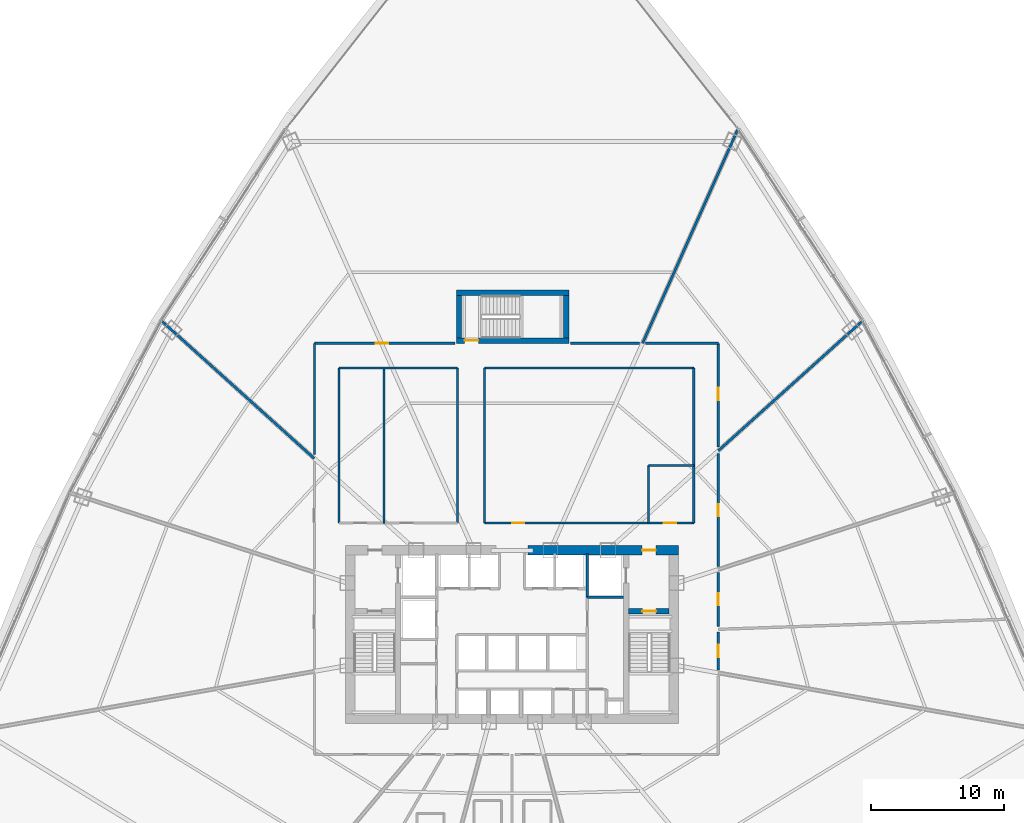
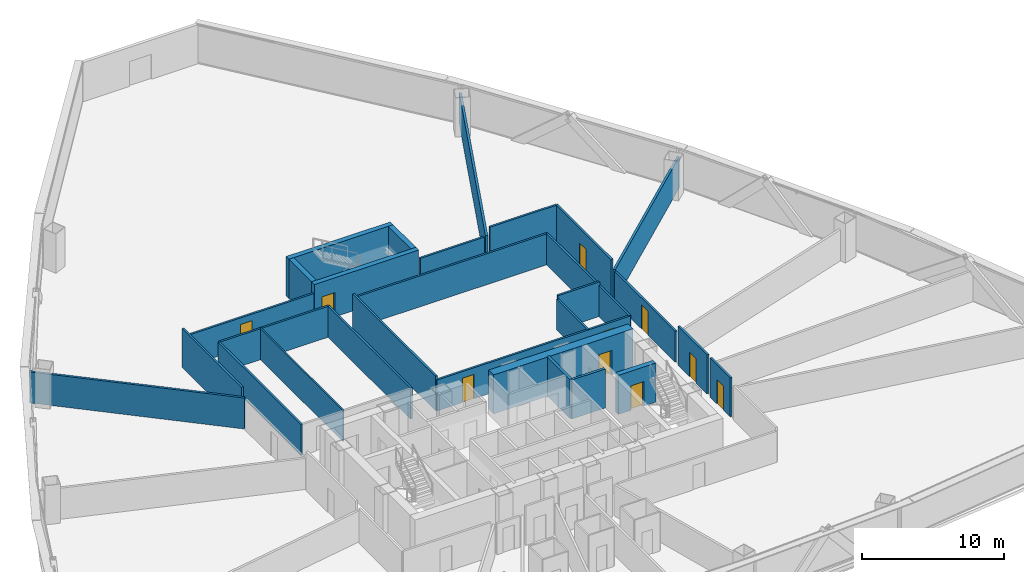
# One storey, part 34 of 40: 29 walls, 10 doors, 10 openings.
"""IFC4 building model written with IfcOpenShell, lengths in metres."""

from ifc_helpers import new_model, si_unit, direction, frame, frame_2d, origin, origin_with_axes, place, context, subcontext, project, spatial, rectangle, extrude, source, transform, mapped, material, layer, layer_set, type_object, element, fill, save


model = new_model("IFC4")

# Units and contexts
model_context = context("Model", 3, precision=1e-05, world=origin(), true_north=direction((0.0, 1.0)))
body_context = subcontext(model_context, "Body", "Model", "MODEL_VIEW")
ifc_project = project(units=[si_unit("LENGTHUNIT", "METRE"), si_unit("AREAUNIT", "SQUARE_METRE"), si_unit("VOLUMEUNIT", "CUBIC_METRE"), si_unit("PLANEANGLEUNIT", "RADIAN"), si_unit("MASSUNIT", "GRAM", prefix="KILO"), si_unit("THERMODYNAMICTEMPERATUREUNIT", "KELVIN"), si_unit("POWERUNIT", "WATT")], contexts=[model_context])

# Site, building, storey
site_placement = place(None, origin())
site = spatial("IfcSite", under=ifc_project, at=site_placement, CompositionType="ELEMENT")
building_placement = place(site_placement, origin())
building = spatial("IfcBuilding", under=site, at=building_placement, Name="Yunzhuo Pagoda Commons", CompositionType="ELEMENT")
storey_placement = place(building_placement, frame((0.0, 0.0, 66.699951171875)))
storey = spatial("IfcBuildingStorey", under=building, at=storey_placement, Name="L17", CompositionType="ELEMENT", Elevation=66.699951171875)

# Wall, opening, door
ifc_material_1 = material(Name="Concrete C60", Category="concrete")
ifc_layer_1 = layer(ifc_material_1, 0.699951171875)
ifc_layer_set_1 = layer_set([ifc_layer_1], Name="Concrete C60")
wall_type_1 = type_object("IfcWallType", Name="W-C01 Lower Core Shear Wall 700", PredefinedType="SHEAR", material=ifc_layer_set_1)
wall_1_placement = place(storey_placement, frame((49.199951171875, 40.199951171875, 0.0), z_axis=(0.0, 0.0, 1.0), x_axis=(1.0, 0.0, 0.0)))
wall_1 = element("IfcWall", 1, at=wall_1_placement, inside=storey, type_object=wall_type_1, Name="L17 core shear wall NE", PredefinedType="SHEAR", context=body_context, shape_type="SweptSolid", body=[
    extrude(rectangle(XDim=11.35009765625, YDim=0.699951171875, at=frame_2d((5.675048828125, 0.0))), origin(), (0.0, 0.0, 1.0), 3.3701171875),
])
opening_1_placement = place(wall_1_placement, frame((8.60009765625, 0.0, 0.0)))
opening_1 = element("IfcOpeningElement", 2, at=opening_1_placement, cuts=wall_1, Name="Opening D-02", PredefinedType="OPENING", context=body_context, shape_type="SweptSolid", body=[
    extrude(rectangle(XDim=1.050048828125, YDim=2.10009765625, at=frame_2d((0.52490234375, 1.050048828125))), frame((0.0, 0.35986328125, 0.0), z_axis=(0.0, -1.0, 0.0), x_axis=(1.0, 0.0, 0.0)), (0.0, 0.0, 1.0), 0.719970703125),
])
ifc_material_2 = material(Name="Galvanized fire-resisting metal leaf")
door_type_1 = type_object("IfcDoorType", Name="D-02 Firefighting Lobby & Refuge Fire Door 1050x2100", OperationType="NOTDEFINED", PredefinedType="DOOR", material=ifc_material_2)
shared_shape_1 = source(origin(), body_context, "Body", "SweptSolid", [
    extrude(rectangle(XDim=1.050048828125, YDim=2.10009765625, at=frame_2d((0.52490234375, 1.050048828125))), frame((0.0, 0.02490234375, 0.0), z_axis=(0.0, -1.0, 0.0), x_axis=(1.0, 0.0, 0.0)), (0.0, 0.0, 1.0), 0.050048828125),
])
door_1_placement = place(opening_1_placement, frame((1.050048828125, 0.0, 0.0), z_axis=(0.0, 0.0, 1.0), x_axis=(-1.0, 0.0, 0.0)))
door_1 = element("IfcDoor", 3, at=door_1_placement, inside=storey, type_object=door_type_1, Name="L17 Firefighting Lobby 2 fire door", OperationType="SINGLE_SWING_RIGHT", OverallHeight=2.10009765625, OverallWidth=1.050048828125, PredefinedType="DOOR", context=body_context, shape_type="MappedRepresentation", body=[
    mapped(shared_shape_1, transform((0.0, 0.0, 0.0), scale=1.0)),
])
fill(opening_1, door_1)

# Walls
ifc_material_3 = material(Name="Gypsum plasterboard on acoustic stud")
ifc_layer_2 = layer(ifc_material_3, 0.159912109375)
ifc_layer_set_2 = layer_set([ifc_layer_2], Name="Gypsum plasterboard on acoustic stud")
wall_type_2 = type_object("IfcWallType", Name="W-COR1 Tower Rated Corridor Wall 160", PredefinedType="PARTITIONING", material=ifc_layer_set_2)
wall_2_placement = place(storey_placement, frame((34.949951171875, 53.949951171875, 0.0), z_axis=(0.0, 0.0, 1.0), x_axis=(1.0, 0.0, 0.0)))
element("IfcWall", 4, at=wall_2_placement, inside=storey, type_object=wall_type_2, Name="L17 interior wall IW-L17-ISLWN", PredefinedType="PARTITIONING", context=body_context, shape_type="SweptSolid", body=[
    extrude(rectangle(XDim=8.929931640625, YDim=0.159912109375, at=frame_2d((4.46484375, 0.0))), origin(), (0.0, 0.0, 1.0), 2.670166015625),
])
for number, where, z_axis, x_axis, name in (
    (5, (34.949951171875, 42.25, 0.0), (0.0, 0.0, 1.0), (0.0, 1.0, 0.0), "L17 interior wall IW-L17-ISLWW"),
    (6, (43.8798828125, 42.25, 0.0), (0.0, 0.0, 1.0), (0.0, 1.0, 0.0), "L17 interior wall IW-L17-ISLWE"),
):
    element("IfcWall", number, at=place(storey_placement, frame(where, z_axis=z_axis, x_axis=x_axis)), inside=storey, type_object=wall_type_2, Name=name, PredefinedType="PARTITIONING", context=body_context, shape_type="SweptSolid", body=[
        extrude(rectangle(XDim=11.699951171875, YDim=0.159912109375, at=frame_2d((5.85009765625, 0.0))), origin(), (0.0, 0.0, 1.0), 2.670166015625),
    ])

# Wall, openings, doors
wall_3_placement = place(storey_placement, frame((45.919921875, 42.25, 0.0), z_axis=(0.0, 0.0, 1.0), x_axis=(1.0, 0.0, 0.0)))
wall_3 = element("IfcWall", 7, at=wall_3_placement, inside=storey, type_object=wall_type_2, Name="L17 interior wall IW-L17-ISLES", PredefinedType="PARTITIONING", context=body_context, shape_type="SweptSolid", body=[
    extrude(rectangle(XDim=15.780029296875, YDim=0.159912109375, at=frame_2d((7.89013671875, 0.0))), origin(), (0.0, 0.0, 1.0), 2.670166015625),
])
opening_2_placement = place(wall_3_placement, frame((2.10009765625, 0.0, 0.0)))
opening_2 = element("IfcOpeningElement", 8, at=opening_2_placement, cuts=wall_3, Name="Opening D-04", PredefinedType="OPENING", context=body_context, shape_type="SweptSolid", body=[
    extrude(rectangle(XDim=0.919921875, YDim=2.10009765625, at=frame_2d((0.4599609375, 1.050048828125))), frame((0.0, 0.08984375, 0.0), z_axis=(0.0, -1.0, 0.0), x_axis=(1.0, 0.0, 0.0)), (0.0, 0.0, 1.0), 0.179931640625),
])
opening_3_placement = place(wall_3_placement, frame((13.530029296875, 0.0, 0.0)))
opening_3 = element("IfcOpeningElement", 9, at=opening_3_placement, cuts=wall_3, Name="Opening D-11", PredefinedType="OPENING", context=body_context, shape_type="SweptSolid", body=[
    extrude(rectangle(XDim=0.93994140625, YDim=2.10009765625, at=frame_2d((0.469970703125, 1.050048828125))), frame((0.0, 0.08984375, 0.0), z_axis=(0.0, -1.0, 0.0), x_axis=(1.0, 0.0, 0.0)), (0.0, 0.0, 1.0), 0.179931640625),
])
door_type_2 = type_object("IfcDoorType", Name="D-11 Accessible Washroom Fire Door 940x2100", OperationType="NOTDEFINED", PredefinedType="DOOR", material=ifc_material_2)
shared_shape_2 = source(origin(), body_context, "Body", "SweptSolid", [
    extrude(rectangle(XDim=0.93994140625, YDim=2.10009765625, at=frame_2d((0.469970703125, 1.050048828125))), frame((0.0, 0.02490234375, 0.0), z_axis=(0.0, -1.0, 0.0), x_axis=(1.0, 0.0, 0.0)), (0.0, 0.0, 1.0), 0.050048828125),
])
door_2_placement = place(opening_3_placement, frame((0.93994140625, 0.0, 0.0), z_axis=(0.0, 0.0, 1.0), x_axis=(-1.0, 0.0, 0.0)))
door_2 = element("IfcDoor", 10, at=door_2_placement, inside=storey, type_object=door_type_2, Name="L17 accessible WC door", OperationType="SINGLE_SWING_RIGHT", OverallHeight=2.10009765625, OverallWidth=0.93994140625, PredefinedType="DOOR", context=body_context, shape_type="MappedRepresentation", body=[
    mapped(shared_shape_2, transform((0.0, 0.0, 0.0), scale=1.0)),
])
fill(opening_3, door_2)
ifc_material_4 = material(Name="Powder-coated aluminium and timber acoustic leaf", Category="wood")
door_type_3 = type_object("IfcDoorType", Name="D-04 Bedroom & Study Interior Door 920x2100", OperationType="NOTDEFINED", PredefinedType="DOOR", material=ifc_material_4)
shared_shape_3 = source(origin(), body_context, "Body", "SweptSolid", [
    extrude(rectangle(XDim=0.919921875, YDim=2.10009765625, at=frame_2d((0.4599609375, 1.050048828125))), frame((0.0, 0.02490234375, 0.0), z_axis=(0.0, -1.0, 0.0), x_axis=(1.0, 0.0, 0.0)), (0.0, 0.0, 1.0), 0.050048828125),
])
door_3_placement = place(opening_2_placement, frame((0.919921875, 0.0, 0.0), z_axis=(0.0, 0.0, 1.0), x_axis=(-1.0, 0.0, 0.0)))
door_3 = element("IfcDoor", 11, at=door_3_placement, inside=storey, type_object=door_type_3, Name="L17 reading commons door", OperationType="SINGLE_SWING_LEFT", OverallHeight=2.10009765625, OverallWidth=0.919921875, PredefinedType="DOOR", context=body_context, shape_type="MappedRepresentation", body=[
    mapped(shared_shape_3, transform((0.0, 0.0, 0.0), scale=1.0)),
])
fill(opening_2, door_3)

# Walls
wall_4_placement = place(storey_placement, frame((45.919921875, 53.949951171875, 0.0), z_axis=(0.0, 0.0, 1.0), x_axis=(1.0, 0.0, 0.0)))
element("IfcWall", 12, at=wall_4_placement, inside=storey, type_object=wall_type_2, Name="L17 interior wall IW-L17-ISLEN", PredefinedType="PARTITIONING", context=body_context, shape_type="SweptSolid", body=[
    extrude(rectangle(XDim=15.780029296875, YDim=0.159912109375, at=frame_2d((7.89013671875, 0.0))), origin(), (0.0, 0.0, 1.0), 2.670166015625),
])
wall_5_placement = place(storey_placement, frame((45.919921875, 42.25, 0.0), z_axis=(0.0, 0.0, 1.0), x_axis=(0.0, 1.0, 0.0)))
element("IfcWall", 13, at=wall_5_placement, inside=storey, type_object=wall_type_2, Name="L17 interior wall IW-L17-ISLEW", PredefinedType="PARTITIONING", context=body_context, shape_type="SweptSolid", body=[
    extrude(rectangle(XDim=11.699951171875, YDim=0.159912109375, at=frame_2d((5.85009765625, 0.0))), origin(), (0.0, 0.0, 1.0), 2.969970703125),
])
wall_6_placement = place(storey_placement, frame((61.699951171875, 42.25, 0.0), z_axis=(0.0, 0.0, 1.0), x_axis=(0.0, 1.0, 0.0)))
element("IfcWall", 14, at=wall_6_placement, inside=storey, type_object=wall_type_2, Name="L17 interior wall IW-L17-ISLEE", PredefinedType="PARTITIONING", context=body_context, shape_type="SweptSolid", body=[
    extrude(rectangle(XDim=11.699951171875, YDim=0.159912109375, at=frame_2d((5.85009765625, 0.0))), origin(), (0.0, 0.0, 1.0), 2.670166015625),
])
wall_7_placement = place(storey_placement, frame((58.300048828125, 42.25, 0.0), z_axis=(0.0, 0.0, 1.0), x_axis=(0.0, 1.0, 0.0)))
element("IfcWall", 15, at=wall_7_placement, inside=storey, type_object=wall_type_2, Name="L17 interior wall IW-L17-ISL2W", PredefinedType="PARTITIONING", context=body_context, shape_type="SweptSolid", body=[
    extrude(rectangle(XDim=4.35009765625, YDim=0.159912109375, at=frame_2d((2.175048828125, 0.0))), origin(), (0.0, 0.0, 1.0), 2.670166015625),
])
wall_8_placement = place(storey_placement, frame((58.300048828125, 46.60009765625, 0.0), z_axis=(0.0, 0.0, 1.0), x_axis=(1.0, 0.0, 0.0)))
element("IfcWall", 16, at=wall_8_placement, inside=storey, type_object=wall_type_2, Name="L17 interior wall IW-L17-ISL2N", PredefinedType="PARTITIONING", context=body_context, shape_type="SweptSolid", body=[
    extrude(rectangle(XDim=3.39990234375, YDim=0.159912109375, at=frame_2d((1.699951171875, 0.0))), origin(), (0.0, 0.0, 1.0), 2.969970703125),
])
wall_9_placement = place(storey_placement, frame((33.10009765625, 47.412109375, 0.0), z_axis=(0.0, 0.0, 1.0), x_axis=(0.0, 1.0, 0.0)))
element("IfcWall", 17, at=wall_9_placement, inside=storey, type_object=wall_type_2, Name="L17 interior wall IW-L17-CWL04", PredefinedType="PARTITIONING", context=body_context, shape_type="SweptSolid", body=[
    extrude(rectangle(XDim=8.387939453125, YDim=0.159912109375, at=frame_2d((4.19384765625, 0.0))), origin(), (0.0, 0.0, 1.0), 3.3701171875),
])

# Wall, opening, door
wall_10_placement = place(storey_placement, frame((33.10009765625, 55.800048828125, 0.0), z_axis=(0.0, 0.0, 1.0), x_axis=(1.0, 0.0, 0.0)))
wall_10 = element("IfcWall", 18, at=wall_10_placement, inside=storey, type_object=wall_type_2, Name="L17 interior wall IW-L17-CWL05", PredefinedType="PARTITIONING", context=body_context, shape_type="SweptSolid", body=[
    extrude(rectangle(XDim=10.60888671875, YDim=0.159912109375, at=frame_2d((5.304443359375, 0.0))), origin(), (0.0, 0.0, 1.0), 2.670166015625),
])
opening_4_placement = place(wall_10_placement, frame((4.635009765625, 0.0, 0.0)))
opening_4 = element("IfcOpeningElement", 19, at=opening_4_placement, cuts=wall_10, Name="Opening D-06", PredefinedType="OPENING", context=body_context, shape_type="SweptSolid", body=[
    extrude(rectangle(XDim=0.949951171875, YDim=2.10009765625, at=frame_2d((0.47509765625, 1.050048828125))), frame((0.0, 0.08984375, 0.0), z_axis=(0.0, -1.0, 0.0), x_axis=(1.0, 0.0, 0.0)), (0.0, 0.0, 1.0), 0.179931640625),
])
door_type_4 = type_object("IfcDoorType", Name="D-06 Co-Living Suite Entrance Fire Door 950x2100", OperationType="NOTDEFINED", PredefinedType="DOOR", material=ifc_material_2)
shared_shape_4 = source(origin(), body_context, "Body", "SweptSolid", [
    extrude(rectangle(XDim=0.949951171875, YDim=2.10009765625, at=frame_2d((0.47509765625, 1.050048828125))), frame((0.0, 0.02490234375, 0.0), z_axis=(0.0, -1.0, 0.0), x_axis=(1.0, 0.0, 0.0)), (0.0, 0.0, 1.0), 0.050048828125),
])
door_4_placement = place(opening_4_placement, origin_with_axes())
door_4 = element("IfcDoor", 20, at=door_4_placement, inside=storey, type_object=door_type_4, Name="L17 Shared Resident Kitchen and Pantry door", OperationType="SINGLE_SWING_LEFT", OverallHeight=2.10009765625, OverallWidth=0.949951171875, PredefinedType="DOOR", context=body_context, shape_type="MappedRepresentation", body=[
    mapped(shared_shape_4, transform((0.0, 0.0, 0.0), scale=1.0)),
])
fill(opening_4, door_4)

# Walls
wall_11_placement = place(storey_placement, frame((52.39111328125, 55.800048828125, 0.0), z_axis=(0.0, 0.0, 1.0), x_axis=(1.0, 0.0, 0.0)))
element("IfcWall", 21, at=wall_11_placement, inside=storey, type_object=wall_type_2, Name="L17 interior wall IW-L17-CWL06", PredefinedType="PARTITIONING", context=body_context, shape_type="SweptSolid", body=[
    extrude(rectangle(XDim=5.228759765625, YDim=0.159912109375, at=frame_2d((2.6142578125, 0.0))), origin(), (0.0, 0.0, 1.0), 2.670166015625),
])
wall_12_placement = place(storey_placement, frame((58.080322265625, 55.800048828125, 0.0), z_axis=(0.0, 0.0, 1.0), x_axis=(1.0, 0.0, 0.0)))
element("IfcWall", 22, at=wall_12_placement, inside=storey, type_object=wall_type_2, Name="L17 interior wall IW-L17-CWL07", PredefinedType="PARTITIONING", context=body_context, shape_type="SweptSolid", body=[
    extrude(rectangle(XDim=5.4697265625, YDim=0.159912109375, at=frame_2d((2.73486328125, 0.0))), origin(), (0.0, 0.0, 1.0), 3.3701171875),
])

# Wall, opening, door
wall_13_placement = place(storey_placement, frame((63.550048828125, 55.800048828125, 0.0), z_axis=(0.0, 0.0, 1.0), x_axis=(0.0, -1.0, 0.0)))
wall_13 = element("IfcWall", 23, at=wall_13_placement, inside=storey, type_object=wall_type_2, Name="L17 interior wall IW-L17-CWL08", PredefinedType="PARTITIONING", context=body_context, shape_type="SweptSolid", body=[
    extrude(rectangle(XDim=7.802734375, YDim=0.159912109375, at=frame_2d((3.9013671875, 0.0))), origin(), (0.0, 0.0, 1.0), 3.3701171875),
])
opening_5_placement = place(wall_13_placement, frame((3.359375, 0.0, 0.0)))
opening_5 = element("IfcOpeningElement", 24, at=opening_5_placement, cuts=wall_13, Name="Opening D-04", PredefinedType="OPENING", context=body_context, shape_type="SweptSolid", body=[
    extrude(rectangle(XDim=0.919921875, YDim=2.10009765625, at=frame_2d((0.4599609375, 1.050048828125))), frame((0.0, 0.08984375, 0.0), z_axis=(0.0, -1.0, 0.0), x_axis=(1.0, 0.0, 0.0)), (0.0, 0.0, 1.0), 0.179931640625),
])
door_5_placement = place(opening_5_placement, origin_with_axes())
door_5 = element("IfcDoor", 25, at=door_5_placement, inside=storey, type_object=door_type_3, Name="L17 seminar room 03 door", OperationType="SINGLE_SWING_RIGHT", OverallHeight=2.10009765625, OverallWidth=0.919921875, PredefinedType="DOOR", context=body_context, shape_type="MappedRepresentation", body=[
    mapped(shared_shape_3, transform((0.0, 0.0, 0.0), scale=1.0)),
])
fill(opening_5, door_5)

wall_14_placement = place(storey_placement, frame((63.550048828125, 47.481689453125, 0.0), z_axis=(0.0, 0.0, 1.0), x_axis=(0.0, -1.0, 0.0)))
wall_14 = element("IfcWall", 26, at=wall_14_placement, inside=storey, type_object=wall_type_2, Name="L17 interior wall IW-L17-CWL09", PredefinedType="PARTITIONING", context=body_context, shape_type="SweptSolid", body=[
    extrude(rectangle(XDim=8.497802734375, YDim=0.159912109375, at=frame_2d((4.2490234375, 0.0))), origin(), (0.0, 0.0, 1.0), 2.670166015625),
])
opening_6_placement = place(wall_14_placement, frame((3.794677734375, 0.0, 0.0)))
opening_6 = element("IfcOpeningElement", 27, at=opening_6_placement, cuts=wall_14, Name="Opening D-04", PredefinedType="OPENING", context=body_context, shape_type="SweptSolid", body=[
    extrude(rectangle(XDim=0.919921875, YDim=2.10009765625, at=frame_2d((0.4599609375, 1.050048828125))), frame((0.0, 0.08984375, 0.0), z_axis=(0.0, -1.0, 0.0), x_axis=(1.0, 0.0, 0.0)), (0.0, 0.0, 1.0), 0.179931640625),
])
door_6_placement = place(opening_6_placement, origin_with_axes())
door_6 = element("IfcDoor", 28, at=door_6_placement, inside=storey, type_object=door_type_3, Name="L17 seminar room 02 door", OperationType="SINGLE_SWING_LEFT", OverallHeight=2.10009765625, OverallWidth=0.919921875, PredefinedType="DOOR", context=body_context, shape_type="MappedRepresentation", body=[
    mapped(shared_shape_3, transform((0.0, 0.0, 0.0), scale=1.0)),
])
fill(opening_6, door_6)

wall_15_placement = place(storey_placement, frame((63.550048828125, 38.53271484375, 0.0), z_axis=(0.0, 0.0, 1.0), x_axis=(0.0, -1.0, 0.0)))
wall_15 = element("IfcWall", 29, at=wall_15_placement, inside=storey, type_object=wall_type_2, Name="L17 interior wall IW-L17-CWL10", PredefinedType="PARTITIONING", context=body_context, shape_type="SweptSolid", body=[
    extrude(rectangle(XDim=4.069580078125, YDim=0.159912109375, at=frame_2d((2.03466796875, 0.0))), origin(), (0.0, 0.0, 1.0), 3.3701171875),
])
opening_7_placement = place(wall_15_placement, frame((1.574951171875, 0.0, 0.0)))
opening_7 = element("IfcOpeningElement", 30, at=opening_7_placement, cuts=wall_15, Name="Opening D-04", PredefinedType="OPENING", context=body_context, shape_type="SweptSolid", body=[
    extrude(rectangle(XDim=0.919921875, YDim=2.10009765625, at=frame_2d((0.4599609375, 1.050048828125))), frame((0.0, 0.08984375, 0.0), z_axis=(0.0, -1.0, 0.0), x_axis=(1.0, 0.0, 0.0)), (0.0, 0.0, 1.0), 0.179931640625),
])
door_7_placement = place(opening_7_placement, origin_with_axes())
door_7 = element("IfcDoor", 31, at=door_7_placement, inside=storey, type_object=door_type_3, Name="L17 seminar room 01 door", OperationType="SINGLE_SWING_RIGHT", OverallHeight=2.10009765625, OverallWidth=0.919921875, PredefinedType="DOOR", context=body_context, shape_type="MappedRepresentation", body=[
    mapped(shared_shape_3, transform((0.0, 0.0, 0.0), scale=1.0)),
])
fill(opening_7, door_7)

wall_16_placement = place(storey_placement, frame((63.550048828125, 34.023193359375, 0.0), z_axis=(0.0, 0.0, 1.0), x_axis=(0.0, -1.0, 0.0)))
wall_16 = element("IfcWall", 32, at=wall_16_placement, inside=storey, type_object=wall_type_2, Name="L17 interior wall IW-L17-CWL11", PredefinedType="PARTITIONING", context=body_context, shape_type="SweptSolid", body=[
    extrude(rectangle(XDim=2.84521484375, YDim=0.159912109375, at=frame_2d((1.422607421875, 0.0))), origin(), (0.0, 0.0, 1.0), 3.3701171875),
])
opening_8_placement = place(wall_16_placement, frame((0.94775390625, 0.0, 0.0)))
opening_8 = element("IfcOpeningElement", 33, at=opening_8_placement, cuts=wall_16, Name="Opening D-06", PredefinedType="OPENING", context=body_context, shape_type="SweptSolid", body=[
    extrude(rectangle(XDim=0.949951171875, YDim=2.10009765625, at=frame_2d((0.47509765625, 1.050048828125))), frame((0.0, 0.08984375, 0.0), z_axis=(0.0, -1.0, 0.0), x_axis=(1.0, 0.0, 0.0)), (0.0, 0.0, 1.0), 0.179931640625),
])
door_8_placement = place(opening_8_placement, origin_with_axes())
door_8 = element("IfcDoor", 34, at=door_8_placement, inside=storey, type_object=door_type_4, Name="L17 unit 13 entrance door", OperationType="SINGLE_SWING_RIGHT", OverallHeight=2.10009765625, OverallWidth=0.949951171875, PredefinedType="DOOR", context=body_context, shape_type="MappedRepresentation", body=[
    mapped(shared_shape_4, transform((0.0, 0.0, 0.0), scale=1.0)),
])
fill(opening_8, door_8)

# Walls
ifc_layer_3 = layer(ifc_material_3, 0.1201171875)
ifc_layer_set_3 = layer_set([ifc_layer_3], Name="Gypsum plasterboard on acoustic stud")
wall_type_3 = type_object("IfcWallType", Name="W-PRT1 Suite & Bathroom Partition 120", PredefinedType="PARTITIONING", material=ifc_layer_set_3)
wall_17_placement = place(storey_placement, frame((38.35009765625, 42.25, 0.0), z_axis=(0.0, 0.0, 1.0), x_axis=(0.0, 1.0, 0.0)))
element("IfcWall", 35, at=wall_17_placement, inside=storey, type_object=wall_type_3, Name="L17 interior wall IW-L17-ISLW1", PredefinedType="PARTITIONING", context=body_context, shape_type="SweptSolid", body=[
    extrude(rectangle(XDim=11.699951171875, YDim=0.1201171875, at=frame_2d((5.85009765625, 0.0))), origin(), (0.0, 0.0, 1.0), 2.670166015625),
])
ifc_layer_4 = layer(ifc_material_3, 0.179931640625)
ifc_layer_set_4 = layer_set([ifc_layer_4], Name="Gypsum plasterboard on acoustic stud")
wall_type_4 = type_object("IfcWallType", Name="W-PRT2 Acoustic Unit Demising Wall 180", PredefinedType="PARTITIONING", material=ifc_layer_set_4)
wall_18_placement = place(storey_placement, frame((63.550048828125, 47.701416015625, 0.0), z_axis=(0.0, 0.0, 1.0), x_axis=(0.743144860423, 0.669130567547, 0.0)))
element("IfcWall", 36, at=wall_18_placement, inside=storey, type_object=wall_type_4, Name="L17 interior wall IW-L17-RAD03", PredefinedType="PARTITIONING", context=body_context, shape_type="SweptSolid", body=[
    extrude(rectangle(XDim=14.638916015625, YDim=0.179931640625, at=frame_2d((7.3193359375, 0.0))), origin(), (0.0, 0.0, 1.0), 2.670166015625),
])
wall_19_placement = place(storey_placement, frame((57.839599609375, 55.800048828125, 0.0), z_axis=(0.0, 0.0, 1.0), x_axis=(0.406732277088, 0.913547401493, 0.0)))
element("IfcWall", 37, at=wall_19_placement, inside=storey, type_object=wall_type_4, Name="L17 interior wall IW-L17-RAD04", PredefinedType="PARTITIONING", context=body_context, shape_type="SweptSolid", body=[
    extrude(rectangle(XDim=17.69775390625, YDim=0.179931640625, at=frame_2d((8.848876953125, 0.0))), origin(), (0.0, 0.0, 1.0), 2.670166015625),
])
wall_20_placement = place(storey_placement, frame((33.10009765625, 47.115966796875, 0.0), z_axis=(0.0, 0.0, 1.0), x_axis=(-0.743143105339, 0.669132516761, 0.0)))
element("IfcWall", 38, at=wall_20_placement, inside=storey, type_object=wall_type_4, Name="L17 interior wall IW-L17-RAD05", PredefinedType="PARTITIONING", context=body_context, shape_type="SweptSolid", body=[
    extrude(rectangle(XDim=15.513916015625, YDim=0.179931640625, at=frame_2d((7.7568359375, 0.0))), origin(), (0.0, 0.0, 1.0), 2.670166015625),
])

# Wall, opening, door
ifc_layer_5 = layer(ifc_material_1, 0.39990234375)
ifc_layer_set_5 = layer_set([ifc_layer_5], Name="Concrete C60")
wall_type_5 = type_object("IfcWallType", Name="W-S01 Internal Core Shear Web 400", PredefinedType="SHEAR", material=ifc_layer_set_5)
wall_21_placement = place(storey_placement, frame((56.800048828125, 35.60009765625, 0.0), z_axis=(0.0, 0.0, 1.0), x_axis=(1.0, 0.0, 0.0)))
wall_21 = element("IfcWall", 39, at=wall_21_placement, inside=storey, type_object=wall_type_5, Name="L17 core shear wall STE", PredefinedType="SHEAR", context=body_context, shape_type="SweptSolid", body=[
    extrude(rectangle(XDim=3.050048828125, YDim=0.39990234375, at=frame_2d((1.52490234375, 0.0))), origin(), (0.0, 0.0, 1.0), 3.3701171875),
])
opening_9_placement = place(wall_21_placement, frame((1.02001953125, 0.0, 0.0)))
opening_9 = element("IfcOpeningElement", 40, at=opening_9_placement, cuts=wall_21, Name="Opening D-01", PredefinedType="OPENING", context=body_context, shape_type="SweptSolid", body=[
    extrude(rectangle(XDim=1.050048828125, YDim=2.10009765625, at=frame_2d((0.52490234375, 1.050048828125))), frame((0.0, 0.2099609375, 0.0), z_axis=(0.0, -1.0, 0.0), x_axis=(1.0, 0.0, 0.0)), (0.0, 0.0, 1.0), 0.419921875),
])
door_type_5 = type_object("IfcDoorType", Name="D-01 Smokeproof Stair Fire Door 1050x2100", OperationType="NOTDEFINED", PredefinedType="DOOR", material=ifc_material_2)
door_9_placement = place(opening_9_placement, frame((1.050048828125, 0.0, 0.0), z_axis=(0.0, 0.0, 1.0), x_axis=(-1.0, 0.0, 0.0)))
door_9 = element("IfcDoor", 41, at=door_9_placement, inside=storey, type_object=door_type_5, Name="L17 Stair ST2 fire door", OperationType="SINGLE_SWING_RIGHT", OverallHeight=2.10009765625, OverallWidth=1.050048828125, PredefinedType="DOOR", context=body_context, shape_type="MappedRepresentation", body=[
    mapped(shared_shape_1, transform((0.0, 0.0, 0.0), scale=1.0)),
])
fill(opening_9, door_9)

# Wall
wall_22_placement = place(storey_placement, frame((43.800048828125, 59.60009765625, 0.0), z_axis=(0.0, 0.0, 1.0), x_axis=(1.0, 0.0, 0.0)))
element("IfcWall", 42, at=wall_22_placement, inside=storey, type_object=wall_type_5, Name="L17 ST3 structural stair wall N", PredefinedType="SHEAR", context=body_context, shape_type="SweptSolid", body=[
    extrude(rectangle(XDim=8.5, YDim=0.39990234375, at=frame_2d((4.25, 0.0))), origin(), (0.0, 0.0, 1.0), 3.3701171875),
])

# Wall, opening, door
wall_23_placement = place(storey_placement, frame((43.800048828125, 56.0, 0.0), z_axis=(0.0, 0.0, 1.0), x_axis=(1.0, 0.0, 0.0)))
wall_23 = element("IfcWall", 43, at=wall_23_placement, inside=storey, type_object=wall_type_5, Name="L17 ST3 structural stair wall S", PredefinedType="SHEAR", context=body_context, shape_type="SweptSolid", body=[
    extrude(rectangle(XDim=8.5, YDim=0.39990234375, at=frame_2d((4.25, 0.0))), origin(), (0.0, 0.0, 1.0), 3.3701171875),
])
opening_10_placement = place(wall_23_placement, frame((0.6201171875, 0.0, 0.0)))
opening_10 = element("IfcOpeningElement", 44, at=opening_10_placement, cuts=wall_23, Name="Opening D-01", PredefinedType="OPENING", context=body_context, shape_type="SweptSolid", body=[
    extrude(rectangle(XDim=1.050048828125, YDim=2.10009765625, at=frame_2d((0.52490234375, 1.050048828125))), frame((0.0, 0.2099609375, 0.0), z_axis=(0.0, -1.0, 0.0), x_axis=(1.0, 0.0, 0.0)), (0.0, 0.0, 1.0), 0.419921875),
])
door_10_placement = place(opening_10_placement, frame((1.050048828125, 0.0, 0.0), z_axis=(0.0, 0.0, 1.0), x_axis=(-1.0, 0.0, 0.0)))
door_10 = element("IfcDoor", 45, at=door_10_placement, inside=storey, type_object=door_type_5, Name="L17 Stair ST3 fire door", OperationType="SINGLE_SWING_LEFT", OverallHeight=2.10009765625, OverallWidth=1.050048828125, PredefinedType="DOOR", context=body_context, shape_type="MappedRepresentation", body=[
    mapped(shared_shape_1, transform((0.0, 0.0, 0.0), scale=1.0)),
])
fill(opening_10, door_10)

# Walls
for number, where, z_axis, x_axis, name in (
    (46, (44.0, 56.199951171875, 0.0), (0.0, 0.0, 1.0), (0.0, 1.0, 0.0), "L17 ST3 structural stair wall W"),
    (47, (52.10009765625, 56.199951171875, 0.0), (0.0, 0.0, 1.0), (0.0, 1.0, 0.0), "L17 ST3 structural stair wall E"),
):
    element("IfcWall", number, at=place(storey_placement, frame(where, z_axis=z_axis, x_axis=x_axis)), inside=storey, type_object=wall_type_5, Name=name, PredefinedType="SHEAR", context=body_context, shape_type="SweptSolid", body=[
        extrude(rectangle(XDim=3.199951171875, YDim=0.39990234375, at=frame_2d((1.60009765625, 0.0))), origin(), (0.0, 0.0, 1.0), 3.3701171875),
    ])
ifc_material_5 = material(Name="Concrete C40", Category="concrete")
ifc_layer_6 = layer(ifc_material_5, 0.199951171875)
ifc_layer_set_6 = layer_set([ifc_layer_6], Name="Concrete C40")
wall_type_6 = type_object("IfcWallType", Name="W-SHF Shaft & Stair Enclosure Wall 200", PredefinedType="SOLIDWALL", material=ifc_layer_set_6)
wall_24_placement = place(storey_placement, frame((53.679931640625, 36.64990234375, 0.0), z_axis=(0.0, 0.0, 1.0), x_axis=(0.0, 1.0, 0.0)))
element("IfcWall", 48, at=wall_24_placement, inside=storey, type_object=wall_type_6, Name="L17 interior wall IW-L17-FL2W", PredefinedType="SOLIDWALL", context=body_context, shape_type="SweptSolid", body=[
    extrude(rectangle(XDim=3.300048828125, YDim=0.199951171875, at=frame_2d((1.64990234375, 0.0))), origin(), (0.0, 0.0, 1.0), 3.3701171875),
])
wall_25_placement = place(storey_placement, frame((53.679931640625, 36.64990234375, 0.0), z_axis=(0.0, 0.0, 1.0), x_axis=(1.0, 0.0, 0.0)))
element("IfcWall", 49, at=wall_25_placement, inside=storey, type_object=wall_type_6, Name="L17 interior wall IW-L17-FL2S", PredefinedType="SOLIDWALL", context=body_context, shape_type="SweptSolid", body=[
    extrude(rectangle(XDim=2.719970703125, YDim=0.199951171875, at=frame_2d((1.35986328125, 0.0))), origin(), (0.0, 0.0, 1.0), 3.3701171875),
])

save(model, "model.ifc")
